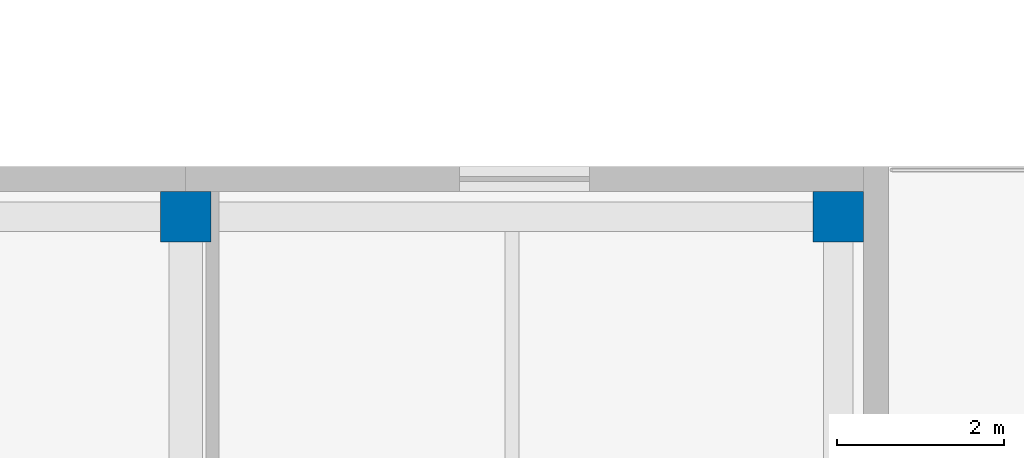
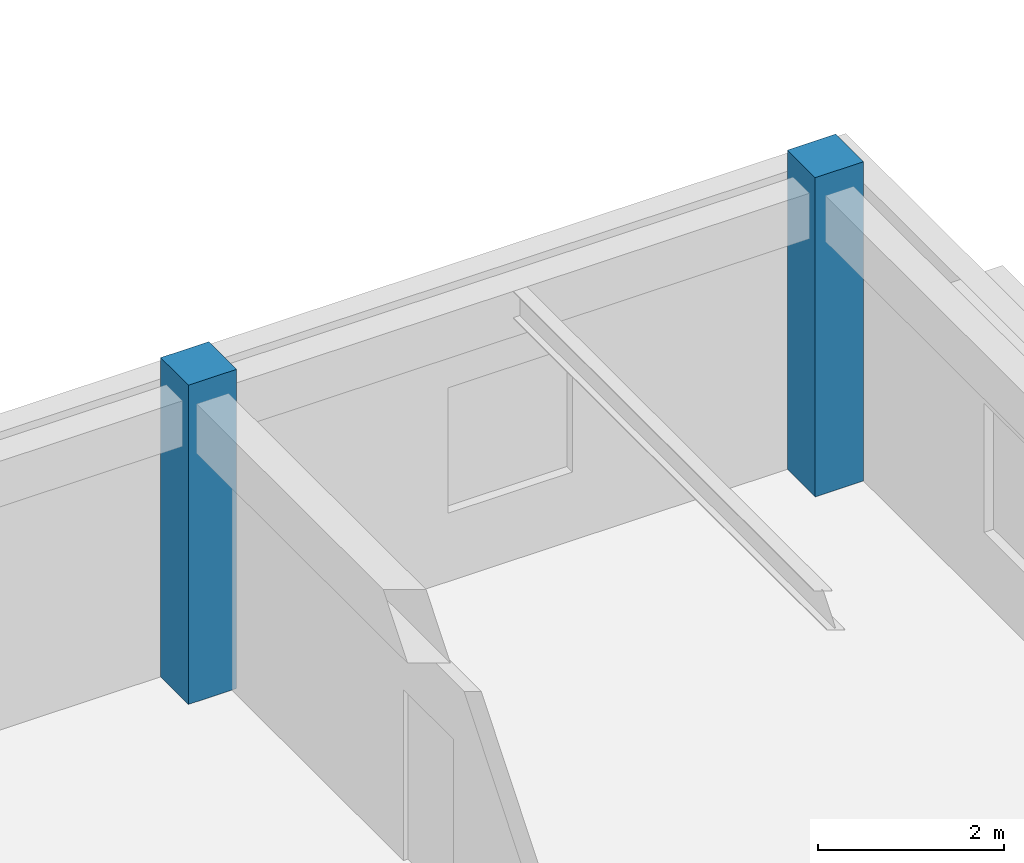
# One storey, part 14 of 127: 2 columns.
"""IFC4 building model written with IfcOpenShell, lengths in metres."""

from ifc_helpers import new_model, si_unit, direction, frame, origin, origin_2d, place, context, subcontext, project, spatial, rectangle, extrude, material, material_profile, profile_set, type_object, element, save


model = new_model("IFC4")

# Units and contexts
model_context = context("Model", 3, precision=1e-05, world=origin(), true_north=direction((0.0, 1.0)))
body_context = subcontext(model_context, "Body", "Model", "MODEL_VIEW")
ifc_project = project(units=[si_unit("LENGTHUNIT", "METRE"), si_unit("AREAUNIT", "SQUARE_METRE"), si_unit("VOLUMEUNIT", "CUBIC_METRE"), si_unit("PLANEANGLEUNIT", "RADIAN"), si_unit("MASSUNIT", "GRAM", prefix="KILO")], contexts=[model_context])

# Site, building, storey
site_placement = place(None, origin())
site = spatial("IfcSite", under=ifc_project, at=site_placement, CompositionType="ELEMENT")
building_placement = place(site_placement, origin())
building = spatial("IfcBuilding", under=site, at=building_placement, Name="Zayran Congress Hotel", CompositionType="ELEMENT")
storey_placement = place(building_placement, frame((0.0, 0.0, 10.800048828125)))
storey = spatial("IfcBuildingStorey", under=building, at=storey_placement, Name="L02", CompositionType="ELEMENT", Elevation=10.800048828125)

# Columns
ifc_material = material(Name="Concrete C40/50", Category="concrete")
ifc_material_profile = material_profile(ifc_material, rectangle(XDim=0.60009765625, YDim=0.60009765625, at=origin_2d()), Name="RC 600x600")
ifc_profile_set = profile_set([ifc_material_profile], Name="Concrete C40/50")
column_type = type_object("IfcColumnType", Name="TP-CL-04", PredefinedType="COLUMN", material=ifc_profile_set)
for number, where, z_axis, x_axis, name in (
    (1, (126.0, 109.0, 0.0), (0.0, 0.0, 1.0), (1.0, 0.0, 0.0), "COL-V4-L02-0819"),
    (2, (133.800048828125, 109.0, 0.0), (0.0, 0.0, 1.0), (1.0, 0.0, 0.0), "COL-V4-L02-0828"),
):
    element("IfcColumn", number, at=place(storey_placement, frame(where, z_axis=z_axis, x_axis=x_axis)), inside=storey, type_object=column_type, Name=name, PredefinedType="COLUMN", context=body_context, shape_type="SweptSolid", body=[
        extrude(rectangle(XDim=0.60009765625, YDim=0.60009765625, at=origin_2d()), origin(), (0.0, 0.0, 1.0), 4.199951171875),
    ])

save(model, "model.ifc")
